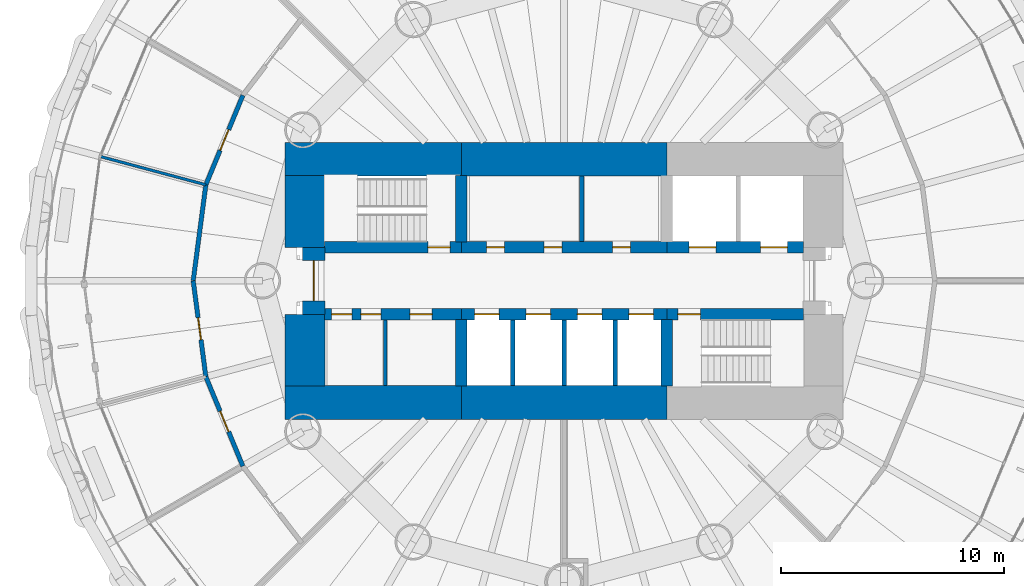
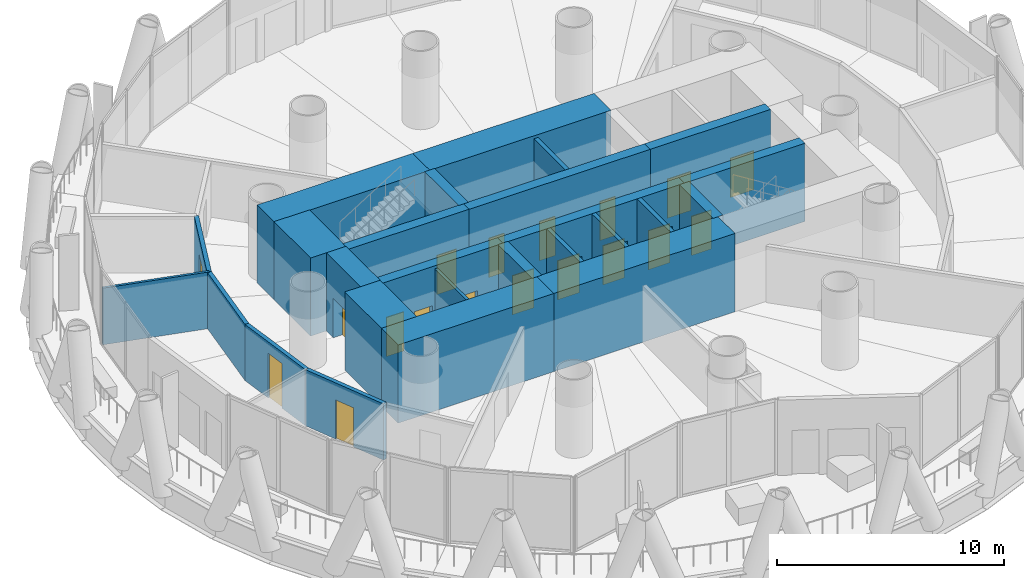
# One storey, part 10 of 15: 26 walls, 18 doors, 18 openings.
"""IFC4 building model written with IfcOpenShell, lengths in metres."""

import ifcopenshell
import ifcopenshell.guid

model = None  # the IFC model being written
_history = None  # IfcOwnerHistory: only IFC2X3 demands one
_inside = {}  # id of a spatial element -> (the spatial element, [elements in it])
_under = {}  # id of a project, library or spatial element -> (it, [spatial elements below it])
_declared = {}  # id of a project -> (the project, [libraries it declares])
_typed = {}  # id of a type object -> (the type object, [elements of that type])
_made_of = {}  # id of a material, layer set ... -> (it, [elements and type objects made of it])


def new_model(schema):
    """Start an empty IFC model of exactly this schema.

    Asked for "IFC4X3", IfcOpenShell would pick the latest addendum, in which some entities
    have other attributes; the version numbers below select the first issue.
    IFC2X3 requires an IfcOwnerHistory on every rooted entity: one is made here for all.
    """
    global model, _history
    if schema == "IFC4X3":
        model = ifcopenshell.file(schema_version=(4, 3, 0, 0))
    else:
        model = ifcopenshell.file(schema=schema)
    _inside.clear()
    _under.clear()
    _declared.clear()
    _typed.clear()
    _made_of.clear()
    _history = None
    if model.schema == "IFC2X3":
        org = make("IfcOrganization", Name="unknown")
        user = make(
            "IfcPersonAndOrganization",
            ThePerson=make("IfcPerson", FamilyName="unknown"),
            TheOrganization=org,
        )
        app = make(
            "IfcApplication",
            ApplicationDeveloper=org,
            Version="unknown",
            ApplicationFullName="unknown",
            ApplicationIdentifier="unknown",
        )
        _history = make(
            "IfcOwnerHistory",
            OwningUser=user,
            OwningApplication=app,
            ChangeAction="ADDED",
            CreationDate=0,
        )
    return model


def make(cls, **values):
    """One entity of the class cls with the attributes given. An attribute that is None is left unset."""
    return model.create_entity(
        cls, **{name: value for name, value in values.items() if value is not None}
    )


def rooted(cls, **values):
    """An entity with a GlobalId (a new one), such as an element, a storey or a relation."""
    return make(cls, GlobalId=ifcopenshell.guid.new(), OwnerHistory=_history, **values)


def si_unit(unit_type, name, prefix=None):
    """IfcSIUnit, for example si_unit("LENGTHUNIT", "METRE", prefix="MILLI")."""
    return make("IfcSIUnit", UnitType=unit_type, Prefix=prefix, Name=name)


def assignment(units):
    """IfcUnitAssignment: the units of a project."""
    return None if units is None else make("IfcUnitAssignment", Units=units)


def point(xyz):
    """IfcCartesianPoint."""
    return None if xyz is None else make("IfcCartesianPoint", Coordinates=xyz)


def direction(xyz):
    """IfcDirection."""
    return None if xyz is None else make("IfcDirection", DirectionRatios=xyz)


def frame(location, z_axis=None, x_axis=None):
    """IfcAxis2Placement3D, a coordinate frame: its origin and axes. An axis left out is left unset."""
    return make(
        "IfcAxis2Placement3D",
        Location=point(location),
        Axis=direction(z_axis),
        RefDirection=direction(x_axis),
    )


def frame_2d(location, x_axis=None):
    """IfcAxis2Placement2D, a coordinate frame in the plane: its origin and x axis."""
    return make(
        "IfcAxis2Placement2D", Location=point(location), RefDirection=direction(x_axis)
    )


def origin():
    """The frame at (0, 0, 0) with its axes left unset."""
    return frame((0.0, 0.0, 0.0))


def place(relative_to, where):
    """IfcLocalPlacement: puts the frame where relative to a parent placement (None: the world)."""
    return make(
        "IfcLocalPlacement", PlacementRelTo=relative_to, RelativePlacement=where
    )


def context(
    kind, dimensions, precision=None, world=None, true_north=None, identifier=None
):
    """IfcGeometricRepresentationContext, for example the 3D "Model" context."""
    return make(
        "IfcGeometricRepresentationContext",
        ContextIdentifier=identifier,
        ContextType=kind,
        CoordinateSpaceDimension=dimensions,
        Precision=precision,
        WorldCoordinateSystem=world,
        TrueNorth=true_north,
    )


def subcontext(parent, identifier, kind, view, scale=None):
    """IfcGeometricRepresentationSubContext, for example "Body" below "Model"."""
    return make(
        "IfcGeometricRepresentationSubContext",
        ContextIdentifier=identifier,
        ContextType=kind,
        ParentContext=parent,
        TargetScale=scale,
        TargetView=view,
    )


def project(units=None, contexts=None):
    """IfcProject with its units and contexts."""
    return rooted(
        "IfcProject",
        Name="project",
        RepresentationContexts=contexts,
        UnitsInContext=assignment(units),
    )


def spatial(cls, under=None, at=None, **own):
    """A site, building, storey or space (cls), placed at a placement, below another one or the project."""
    s = rooted(cls, ObjectPlacement=at, **own)
    if under is not None:
        _under.setdefault(under.id(), (under, []))[1].append(s)
    return s


def profile(cls, at=None, kind="AREA", **sizes):
    """A parametric profile (cls). Its sizes go by their IFC names, for example OverallWidth=200.0."""
    return make(cls, ProfileType=kind, Position=at, **sizes)


def rectangle(**sizes):
    """IfcRectangleProfileDef."""
    return profile("IfcRectangleProfileDef", **sizes)


def extrude(swept, where, along, depth):
    """IfcExtrudedAreaSolid: the profile swept, set in the frame where, extruded along a direction by depth."""
    return make(
        "IfcExtrudedAreaSolid",
        SweptArea=swept,
        Position=where,
        ExtrudedDirection=direction(along),
        Depth=depth,
    )


def shape(context_of_items, identifier, shape_type, items):
    """IfcShapeRepresentation: the items that make up one representation, for example the "Body"."""
    return make(
        "IfcShapeRepresentation",
        ContextOfItems=context_of_items,
        RepresentationIdentifier=identifier,
        RepresentationType=shape_type,
        Items=items,
    )


def material(Name=None, Category=None):
    """IfcMaterial."""
    return make("IfcMaterial", Name=Name, Category=Category)


def layer(
    of_material, thickness, ventilated=None, Name=None, Category=None, Priority=None
):
    """IfcMaterialLayer: one layer of a wall or slab, of a material (None: an air gap)."""
    return make(
        "IfcMaterialLayer",
        Material=of_material,
        LayerThickness=thickness,
        IsVentilated=ventilated,
        Name=Name,
        Category=Category,
        Priority=Priority,
    )


def layer_set(layers, Name=None):
    """IfcMaterialLayerSet."""
    return make("IfcMaterialLayerSet", MaterialLayers=layers, LayerSetName=Name)


def made_of(thing, what):
    """Note that an element or type object is made of a material, layer set ...; save() writes the relation."""
    if what is not None:
        _made_of.setdefault(what.id(), (what, []))[1].append(thing)
    return thing


def type_object(cls, material=None, **own):
    """A type object (cls), such as IfcWallType, which elements share."""
    return made_of(rooted(cls, **own), material)


def element(
    cls,
    number,
    at=None,
    inside=None,
    cuts=None,
    type_object=None,
    material=None,
    context=None,
    identifier="Body",
    shape_type=None,
    held_by="IfcProductDefinitionShape",
    body=None,
    shapes=None,
    **own,
):
    """One element of the class cls, such as IfcWall. Its Tag is "e" and its number.

    at: its placement. inside: the storey or other place that contains it. cuts: it is an
    opening in that element (IfcRelVoidsElement). A single representation is given by context,
    identifier, shape_type and body (its items); several are given by shapes. held_by: the class
    of the entity that holds the representations. save() writes the other relations.
    """
    e = rooted(cls, Tag="e%d" % number, ObjectPlacement=at, **own)
    if body is not None:
        shapes = [shape(context, identifier, shape_type, body)]
    if shapes is not None:
        e.Representation = make(held_by, Representations=shapes)
    if inside is not None:
        _inside.setdefault(inside.id(), (inside, []))[1].append(e)
    if cuts is not None:
        rooted(
            "IfcRelVoidsElement", RelatingBuildingElement=cuts, RelatedOpeningElement=e
        )
    if type_object is not None:
        _typed.setdefault(type_object.id(), (type_object, []))[1].append(e)
    return made_of(e, material)


def fill(opening, filler):
    """IfcRelFillsElement: the door or window that sits in an opening."""
    return rooted(
        "IfcRelFillsElement",
        RelatingOpeningElement=opening,
        RelatedBuildingElement=filler,
    )


def aggregate(whole, parts):
    """IfcRelAggregates: a whole, such as a stair, and the parts it consists of."""
    return rooted("IfcRelAggregates", RelatingObject=whole, RelatedObjects=parts)


def save(model, path):
    """Write the relations noted so far, then the file.

    IfcRelAggregates (storeys below a building ...), IfcRelContainedInSpatialStructure (elements
    in a storey), IfcRelDefinesByType, IfcRelAssociatesMaterial and IfcRelDeclares: one each for
    every whole, place, type object, material and project.
    """
    for whole, parts in _under.values():
        aggregate(whole, parts)
    for where, things in _inside.values():
        rooted(
            "IfcRelContainedInSpatialStructure",
            RelatedElements=things,
            RelatingStructure=where,
        )
    for kind, things in _typed.values():
        rooted("IfcRelDefinesByType", RelatedObjects=things, RelatingType=kind)
    for what, things in _made_of.values():
        rooted("IfcRelAssociatesMaterial", RelatedObjects=things, RelatingMaterial=what)
    for by, libraries in _declared.values():
        rooted("IfcRelDeclares", RelatingContext=by, RelatedDefinitions=libraries)
    model.write(path)


model = new_model("IFC4")

# Units and contexts
model_context = context("Model", 3, precision=1e-05, world=origin(), true_north=direction((0.0, 1.0)))
body_context = subcontext(model_context, "Body", "Model", "MODEL_VIEW")
ifc_project = project(units=[si_unit("LENGTHUNIT", "METRE"), si_unit("AREAUNIT", "SQUARE_METRE"), si_unit("VOLUMEUNIT", "CUBIC_METRE"), si_unit("PLANEANGLEUNIT", "RADIAN"), si_unit("MASSUNIT", "GRAM", prefix="KILO")], contexts=[model_context])

# Site, building, storey
site_placement = place(None, origin())
site = spatial("IfcSite", under=ifc_project, at=site_placement, CompositionType="ELEMENT")
building_placement = place(site_placement, origin())
building = spatial("IfcBuilding", under=site, at=building_placement, Name="Qaws Media Tower", CompositionType="ELEMENT")
storey_placement = place(building_placement, frame((0.0, 0.0, 198.199951171875)))
storey = spatial("IfcBuildingStorey", under=building, at=storey_placement, Name="L45", CompositionType="ELEMENT", Elevation=198.199951171875)

# Wall, opening, door
ifc_material_1 = material(Name="Concrete C60/75", Category="concrete")
ifc_layer_1 = layer(ifc_material_1, 0.5)
ifc_layer_set_1 = layer_set([ifc_layer_1], Name="Core inner wall 500")
wall_type_1 = type_object("IfcWallType", Name="Core inner wall 500", PredefinedType="SHEAR", material=ifc_layer_set_1)
wall_1_placement = place(storey_placement, frame((49.280029296875, 51.5, 0.0), z_axis=(0.0, 0.0, 1.0), x_axis=(1.0, 0.0, 0.0)))
wall_1 = element("IfcWall", 1, at=wall_1_placement, inside=storey, type_object=wall_type_1, Name="W347 SW12 core wall SPNW L45", PredefinedType="SHEAR", context=body_context, shape_type="SweptSolid", body=[
    extrude(rectangle(XDim=6.119873046875, YDim=0.5, at=frame_2d((3.06005859375, 0.0))), origin(), (0.0, 0.0, 1.0), 4.199951171875),
])
opening_1_placement = place(wall_1_placement, frame((4.6201171875, 0.0, 0.0)))
opening_1 = element("IfcOpeningElement", 2, at=opening_1_placement, cuts=wall_1, Name="Opening D1", PredefinedType="OPENING", context=body_context, shape_type="SweptSolid", body=[
    extrude(rectangle(XDim=1.0, YDim=2.10009765625, at=frame_2d((0.5, 1.050048828125))), frame((0.0, 0.260009765625, 0.0), z_axis=(0.0, -1.0, 0.0), x_axis=(1.0, 0.0, 0.0)), (0.0, 0.0, 1.0), 0.52001953125),
])
ifc_material_2 = material(Name="Steel, fire rated", Category="steel")
door_type_1 = type_object("IfcDoorType", Name="Stair door 1000 FD120", OperationType="SINGLE_SWING_LEFT", PredefinedType="DOOR", material=ifc_material_2)
door_1_placement = place(opening_1_placement, origin())
door_1 = element("IfcDoor", 3, at=door_1_placement, inside=storey, type_object=door_type_1, Name="D1 stair S1 door L45 in wall W347", OperationType="SINGLE_SWING_LEFT", OverallHeight=2.10009765625, OverallWidth=1.0, PredefinedType="DOOR", context=body_context, shape_type="SweptSolid", body=[
    extrude(rectangle(XDim=1.0, YDim=2.10009765625, at=frame_2d((0.5, 1.050048828125))), frame((0.0, 0.02490234375, 0.0), z_axis=(0.0, -1.0, 0.0), x_axis=(1.0, 0.0, 0.0)), (0.0, 0.0, 1.0), 0.050048828125),
])
fill(opening_1, door_1)

# Wall, openings, doors
wall_2_placement = place(storey_placement, frame((55.39990234375, 51.5, 0.0), z_axis=(0.0, 0.0, 1.0), x_axis=(1.0, 0.0, 0.0)))
wall_2 = element("IfcWall", 4, at=wall_2_placement, inside=storey, type_object=wall_type_1, Name="W332 SW12 core wall SPN L45", PredefinedType="SHEAR", context=body_context, shape_type="SweptSolid", body=[
    extrude(rectangle(XDim=9.2001953125, YDim=0.5, at=frame_2d((4.60009765625, 0.0))), origin(), (0.0, 0.0, 1.0), 4.199951171875),
])
opening_2_placement = place(wall_2_placement, frame((1.13525390625, 0.0, 0.0)))
opening_2 = element("IfcOpeningElement", 5, at=opening_2_placement, cuts=wall_2, Name="Opening D23", PredefinedType="OPENING", context=body_context, shape_type="SweptSolid", body=[
    extrude(rectangle(XDim=0.800048828125, YDim=2.10009765625, at=frame_2d((0.39990234375, 1.050048828125))), frame((0.0, 0.260009765625, 0.0), z_axis=(0.0, -1.0, 0.0), x_axis=(1.0, 0.0, 0.0)), (0.0, 0.0, 1.0), 0.52001953125),
])
opening_3_placement = place(wall_2_placement, frame((3.705810546875, 0.0, 0.0)))
opening_3 = element("IfcOpeningElement", 6, at=opening_3_placement, cuts=wall_2, Name="Opening D23", PredefinedType="OPENING", context=body_context, shape_type="SweptSolid", body=[
    extrude(rectangle(XDim=0.800048828125, YDim=2.10009765625, at=frame_2d((0.39990234375, 1.050048828125))), frame((0.0, 0.260009765625, 0.0), z_axis=(0.0, -1.0, 0.0), x_axis=(1.0, 0.0, 0.0)), (0.0, 0.0, 1.0), 0.52001953125),
])
opening_4_placement = place(wall_2_placement, frame((6.7705078125, 0.0, 0.0)))
opening_4 = element("IfcOpeningElement", 7, at=opening_4_placement, cuts=wall_2, Name="Opening D23", PredefinedType="OPENING", context=body_context, shape_type="SweptSolid", body=[
    extrude(rectangle(XDim=0.800048828125, YDim=2.10009765625, at=frame_2d((0.39990234375, 1.050048828125))), frame((0.0, 0.260009765625, 0.0), z_axis=(0.0, -1.0, 0.0), x_axis=(1.0, 0.0, 0.0)), (0.0, 0.0, 1.0), 0.52001953125),
])
ifc_material_3 = material(Name="Steel, fire rated", Category="steel")
door_type_2 = type_object("IfcDoorType", Name="Core room door 800x2100", OperationType="SINGLE_SWING_LEFT", PredefinedType="DOOR", material=ifc_material_3)
door_2_placement = place(opening_2_placement, origin())
door_2 = element("IfcDoor", 8, at=door_2_placement, inside=storey, type_object=door_type_2, Name="D23 Gents toilets door L45 1 in wall W332", OperationType="SINGLE_SWING_LEFT", OverallHeight=2.10009765625, OverallWidth=0.800048828125, PredefinedType="DOOR", context=body_context, shape_type="SweptSolid", body=[
    extrude(rectangle(XDim=0.800048828125, YDim=2.10009765625, at=frame_2d((0.39990234375, 1.050048828125))), frame((0.0, 0.02490234375, 0.0), z_axis=(0.0, -1.0, 0.0), x_axis=(1.0, 0.0, 0.0)), (0.0, 0.0, 1.0), 0.050048828125),
])
fill(opening_2, door_2)
door_3_placement = place(opening_3_placement, origin())
door_3 = element("IfcDoor", 9, at=door_3_placement, inside=storey, type_object=door_type_2, Name="D23 Gents toilets door L45 2 in wall W332", OperationType="SINGLE_SWING_LEFT", OverallHeight=2.10009765625, OverallWidth=0.800048828125, PredefinedType="DOOR", context=body_context, shape_type="SweptSolid", body=[
    extrude(rectangle(XDim=0.800048828125, YDim=2.10009765625, at=frame_2d((0.39990234375, 1.050048828125))), frame((0.0, 0.02490234375, 0.0), z_axis=(0.0, -1.0, 0.0), x_axis=(1.0, 0.0, 0.0)), (0.0, 0.0, 1.0), 0.050048828125),
])
fill(opening_3, door_3)
door_4_placement = place(opening_4_placement, origin())
door_4 = element("IfcDoor", 10, at=door_4_placement, inside=storey, type_object=door_type_2, Name="D23 Ladies toilets door L45 in wall W332", OperationType="SINGLE_SWING_LEFT", OverallHeight=2.10009765625, OverallWidth=0.800048828125, PredefinedType="DOOR", context=body_context, shape_type="SweptSolid", body=[
    extrude(rectangle(XDim=0.800048828125, YDim=2.10009765625, at=frame_2d((0.39990234375, 1.050048828125))), frame((0.0, 0.02490234375, 0.0), z_axis=(0.0, -1.0, 0.0), x_axis=(1.0, 0.0, 0.0)), (0.0, 0.0, 1.0), 0.050048828125),
])
fill(opening_4, door_4)

wall_3_placement = place(storey_placement, frame((64.60009765625, 51.5, 0.0), z_axis=(0.0, 0.0, 1.0), x_axis=(1.0, 0.0, 0.0)))
wall_3 = element("IfcWall", 11, at=wall_3_placement, inside=storey, type_object=wall_type_1, Name="W352 SW12 core wall SPNE L45", PredefinedType="SHEAR", context=body_context, shape_type="SweptSolid", body=[
    extrude(rectangle(XDim=6.119873046875, YDim=0.5, at=frame_2d((3.06005859375, 0.0))), origin(), (0.0, 0.0, 1.0), 4.199951171875),
])
opening_5_placement = place(wall_3_placement, frame((1.0, 0.0, 0.0)))
opening_5 = element("IfcOpeningElement", 12, at=opening_5_placement, cuts=wall_3, Name="Opening LD2", PredefinedType="OPENING", context=body_context, shape_type="SweptSolid", body=[
    extrude(rectangle(XDim=1.199951171875, YDim=2.10009765625, at=frame_2d((0.60009765625, 1.050048828125))), frame((0.0, 0.260009765625, 0.0), z_axis=(0.0, -1.0, 0.0), x_axis=(1.0, 0.0, 0.0)), (0.0, 0.0, 1.0), 0.52001953125),
])
opening_6_placement = place(wall_3_placement, frame((4.199951171875, 0.0, 0.0)))
opening_6 = element("IfcOpeningElement", 13, at=opening_6_placement, cuts=wall_3, Name="Opening LD2", PredefinedType="OPENING", context=body_context, shape_type="SweptSolid", body=[
    extrude(rectangle(XDim=1.199951171875, YDim=2.10009765625, at=frame_2d((0.60009765625, 1.050048828125))), frame((0.0, 0.260009765625, 0.0), z_axis=(0.0, -1.0, 0.0), x_axis=(1.0, 0.0, 0.0)), (0.0, 0.0, 1.0), 0.52001953125),
])
ifc_material_4 = material(Name="Steel, fire rated", Category="steel")
door_type_3 = type_object("IfcDoorType", Name="Lift landing door 1200", OperationType="SLIDING_TO_LEFT", PredefinedType="DOOR", material=ifc_material_4)
door_5_placement = place(opening_5_placement, origin())
door_5 = element("IfcDoor", 14, at=door_5_placement, inside=storey, type_object=door_type_3, Name="FL1 landing door L45 in wall W352", OperationType="SLIDING_TO_LEFT", OverallHeight=2.10009765625, OverallWidth=1.199951171875, PredefinedType="DOOR", context=body_context, shape_type="SweptSolid", body=[
    extrude(rectangle(XDim=1.199951171875, YDim=2.10009765625, at=frame_2d((0.60009765625, 1.050048828125))), frame((0.0, 0.02490234375, 0.0), z_axis=(0.0, -1.0, 0.0), x_axis=(1.0, 0.0, 0.0)), (0.0, 0.0, 1.0), 0.050048828125),
])
fill(opening_5, door_5)
door_6_placement = place(opening_6_placement, origin())
door_6 = element("IfcDoor", 15, at=door_6_placement, inside=storey, type_object=door_type_3, Name="FL2 landing door L45 in wall W352", OperationType="SLIDING_TO_LEFT", OverallHeight=2.10009765625, OverallWidth=1.199951171875, PredefinedType="DOOR", context=body_context, shape_type="SweptSolid", body=[
    extrude(rectangle(XDim=1.199951171875, YDim=2.10009765625, at=frame_2d((0.60009765625, 1.050048828125))), frame((0.0, 0.02490234375, 0.0), z_axis=(0.0, -1.0, 0.0), x_axis=(1.0, 0.0, 0.0)), (0.0, 0.0, 1.0), 0.050048828125),
])
fill(opening_6, door_6)

wall_4_placement = place(storey_placement, frame((49.280029296875, 48.5, 0.0), z_axis=(0.0, 0.0, 1.0), x_axis=(1.0, 0.0, 0.0)))
wall_4 = element("IfcWall", 16, at=wall_4_placement, inside=storey, type_object=wall_type_1, Name="W346 SW12 core wall SPSW L45", PredefinedType="SHEAR", context=body_context, shape_type="SweptSolid", body=[
    extrude(rectangle(XDim=6.119873046875, YDim=0.5, at=frame_2d((3.06005859375, 0.0))), origin(), (0.0, 0.0, 1.0), 4.199951171875),
])
opening_7_placement = place(wall_4_placement, frame((0.320068359375, 0.0, 0.0)))
opening_7 = element("IfcOpeningElement", 17, at=opening_7_placement, cuts=wall_4, Name="Opening D3", PredefinedType="OPENING", context=body_context, shape_type="SweptSolid", body=[
    extrude(rectangle(XDim=0.89990234375, YDim=2.10009765625, at=frame_2d((0.449951171875, 1.050048828125))), frame((0.0, 0.260009765625, 0.0), z_axis=(0.0, -1.0, 0.0), x_axis=(1.0, 0.0, 0.0)), (0.0, 0.0, 1.0), 0.52001953125),
])
opening_8_placement = place(wall_4_placement, frame((1.6201171875, 0.0, 0.0)))
opening_8 = element("IfcOpeningElement", 18, at=opening_8_placement, cuts=wall_4, Name="Opening D3", PredefinedType="OPENING", context=body_context, shape_type="SweptSolid", body=[
    extrude(rectangle(XDim=0.89990234375, YDim=2.10009765625, at=frame_2d((0.449951171875, 1.050048828125))), frame((0.0, 0.260009765625, 0.0), z_axis=(0.0, -1.0, 0.0), x_axis=(1.0, 0.0, 0.0)), (0.0, 0.0, 1.0), 0.52001953125),
])
opening_9_placement = place(wall_4_placement, frame((3.820068359375, 0.0, 0.0)))
opening_9 = element("IfcOpeningElement", 19, at=opening_9_placement, cuts=wall_4, Name="Opening D4", PredefinedType="OPENING", context=body_context, shape_type="SweptSolid", body=[
    extrude(rectangle(XDim=1.0, YDim=2.10009765625, at=frame_2d((0.5, 1.050048828125))), frame((0.0, 0.260009765625, 0.0), z_axis=(0.0, -1.0, 0.0), x_axis=(1.0, 0.0, 0.0)), (0.0, 0.0, 1.0), 0.52001953125),
])
ifc_material_5 = material(Name="Timber veneered", Category="wood")
door_type_4 = type_object("IfcDoorType", Name="Accessible WC door 1000", OperationType="SLIDING_TO_LEFT", PredefinedType="DOOR", material=ifc_material_5)
door_7_placement = place(opening_9_placement, origin())
door_7 = element("IfcDoor", 20, at=door_7_placement, inside=storey, type_object=door_type_4, Name="D4 toilet door 3 L45 in wall W346", OperationType="SLIDING_TO_LEFT", OverallHeight=2.10009765625, OverallWidth=1.0, PredefinedType="DOOR", context=body_context, shape_type="SweptSolid", body=[
    extrude(rectangle(XDim=1.0, YDim=2.10009765625, at=frame_2d((0.5, 1.050048828125))), frame((0.0, 0.02490234375, 0.0), z_axis=(0.0, -1.0, 0.0), x_axis=(1.0, 0.0, 0.0)), (0.0, 0.0, 1.0), 0.050048828125),
])
fill(opening_9, door_7)
ifc_material_6 = material(Name="Timber veneered", Category="wood")
door_type_5 = type_object("IfcDoorType", Name="Toilet door 900", OperationType="SINGLE_SWING_RIGHT", PredefinedType="DOOR", material=ifc_material_6)
door_8_placement = place(opening_7_placement, origin())
door_8 = element("IfcDoor", 21, at=door_8_placement, inside=storey, type_object=door_type_5, Name="D3 toilet door 1 L45 in wall W346", OperationType="SINGLE_SWING_RIGHT", OverallHeight=2.10009765625, OverallWidth=0.89990234375, PredefinedType="DOOR", context=body_context, shape_type="SweptSolid", body=[
    extrude(rectangle(XDim=0.89990234375, YDim=2.10009765625, at=frame_2d((0.449951171875, 1.050048828125))), frame((0.0, 0.02490234375, 0.0), z_axis=(0.0, -1.0, 0.0), x_axis=(1.0, 0.0, 0.0)), (0.0, 0.0, 1.0), 0.050048828125),
])
fill(opening_7, door_8)
door_9_placement = place(opening_8_placement, origin())
door_9 = element("IfcDoor", 22, at=door_9_placement, inside=storey, type_object=door_type_5, Name="D3 toilet door 2 L45 in wall W346", OperationType="SINGLE_SWING_RIGHT", OverallHeight=2.10009765625, OverallWidth=0.89990234375, PredefinedType="DOOR", context=body_context, shape_type="SweptSolid", body=[
    extrude(rectangle(XDim=0.89990234375, YDim=2.10009765625, at=frame_2d((0.449951171875, 1.050048828125))), frame((0.0, 0.02490234375, 0.0), z_axis=(0.0, -1.0, 0.0), x_axis=(1.0, 0.0, 0.0)), (0.0, 0.0, 1.0), 0.050048828125),
])
fill(opening_8, door_9)

wall_5_placement = place(storey_placement, frame((55.39990234375, 48.5, 0.0), z_axis=(0.0, 0.0, 1.0), x_axis=(1.0, 0.0, 0.0)))
wall_5 = element("IfcWall", 23, at=wall_5_placement, inside=storey, type_object=wall_type_1, Name="W331 SW12 core wall SPS L45", PredefinedType="SHEAR", context=body_context, shape_type="SweptSolid", body=[
    extrude(rectangle(XDim=9.2001953125, YDim=0.5, at=frame_2d((4.60009765625, 0.0))), origin(), (0.0, 0.0, 1.0), 4.199951171875),
])
opening_10_placement = place(wall_5_placement, frame((0.60009765625, 0.0, 0.0)))
opening_10 = element("IfcOpeningElement", 24, at=opening_10_placement, cuts=wall_5, Name="Opening LD", PredefinedType="OPENING", context=body_context, shape_type="SweptSolid", body=[
    extrude(rectangle(XDim=1.10009765625, YDim=2.10009765625, at=frame_2d((0.550048828125, 1.050048828125))), frame((0.0, 0.260009765625, 0.0), z_axis=(0.0, -1.0, 0.0), x_axis=(1.0, 0.0, 0.0)), (0.0, 0.0, 1.0), 0.52001953125),
])
opening_11_placement = place(wall_5_placement, frame((2.89990234375, 0.0, 0.0)))
opening_11 = element("IfcOpeningElement", 25, at=opening_11_placement, cuts=wall_5, Name="Opening LD", PredefinedType="OPENING", context=body_context, shape_type="SweptSolid", body=[
    extrude(rectangle(XDim=1.10009765625, YDim=2.10009765625, at=frame_2d((0.550048828125, 1.050048828125))), frame((0.0, 0.260009765625, 0.0), z_axis=(0.0, -1.0, 0.0), x_axis=(1.0, 0.0, 0.0)), (0.0, 0.0, 1.0), 0.52001953125),
])
opening_12_placement = place(wall_5_placement, frame((5.199951171875, 0.0, 0.0)))
opening_12 = element("IfcOpeningElement", 26, at=opening_12_placement, cuts=wall_5, Name="Opening LD", PredefinedType="OPENING", context=body_context, shape_type="SweptSolid", body=[
    extrude(rectangle(XDim=1.10009765625, YDim=2.10009765625, at=frame_2d((0.550048828125, 1.050048828125))), frame((0.0, 0.260009765625, 0.0), z_axis=(0.0, -1.0, 0.0), x_axis=(1.0, 0.0, 0.0)), (0.0, 0.0, 1.0), 0.52001953125),
])
opening_13_placement = place(wall_5_placement, frame((7.5, 0.0, 0.0)))
opening_13 = element("IfcOpeningElement", 27, at=opening_13_placement, cuts=wall_5, Name="Opening LD", PredefinedType="OPENING", context=body_context, shape_type="SweptSolid", body=[
    extrude(rectangle(XDim=1.10009765625, YDim=2.10009765625, at=frame_2d((0.550048828125, 1.050048828125))), frame((0.0, 0.260009765625, 0.0), z_axis=(0.0, -1.0, 0.0), x_axis=(1.0, 0.0, 0.0)), (0.0, 0.0, 1.0), 0.52001953125),
])
ifc_material_7 = material(Name="Steel, fire rated", Category="steel")
door_type_6 = type_object("IfcDoorType", Name="Lift landing door 1100", OperationType="SLIDING_TO_LEFT", PredefinedType="DOOR", material=ifc_material_7)
door_10_placement = place(opening_10_placement, origin())
door_10 = element("IfcDoor", 28, at=door_10_placement, inside=storey, type_object=door_type_6, Name="P5 landing door L45 in wall W331", OperationType="SLIDING_TO_LEFT", OverallHeight=2.10009765625, OverallWidth=1.10009765625, PredefinedType="DOOR", context=body_context, shape_type="SweptSolid", body=[
    extrude(rectangle(XDim=1.10009765625, YDim=2.10009765625, at=frame_2d((0.550048828125, 1.050048828125))), frame((0.0, 0.02490234375, 0.0), z_axis=(0.0, -1.0, 0.0), x_axis=(1.0, 0.0, 0.0)), (0.0, 0.0, 1.0), 0.050048828125),
])
fill(opening_10, door_10)
door_11_placement = place(opening_11_placement, origin())
door_11 = element("IfcDoor", 29, at=door_11_placement, inside=storey, type_object=door_type_6, Name="P6 landing door L45 in wall W331", OperationType="SLIDING_TO_LEFT", OverallHeight=2.10009765625, OverallWidth=1.10009765625, PredefinedType="DOOR", context=body_context, shape_type="SweptSolid", body=[
    extrude(rectangle(XDim=1.10009765625, YDim=2.10009765625, at=frame_2d((0.550048828125, 1.050048828125))), frame((0.0, 0.02490234375, 0.0), z_axis=(0.0, -1.0, 0.0), x_axis=(1.0, 0.0, 0.0)), (0.0, 0.0, 1.0), 0.050048828125),
])
fill(opening_11, door_11)
door_12_placement = place(opening_12_placement, origin())
door_12 = element("IfcDoor", 30, at=door_12_placement, inside=storey, type_object=door_type_6, Name="P7 landing door L45 in wall W331", OperationType="SLIDING_TO_LEFT", OverallHeight=2.10009765625, OverallWidth=1.10009765625, PredefinedType="DOOR", context=body_context, shape_type="SweptSolid", body=[
    extrude(rectangle(XDim=1.10009765625, YDim=2.10009765625, at=frame_2d((0.550048828125, 1.050048828125))), frame((0.0, 0.02490234375, 0.0), z_axis=(0.0, -1.0, 0.0), x_axis=(1.0, 0.0, 0.0)), (0.0, 0.0, 1.0), 0.050048828125),
])
fill(opening_12, door_12)
door_13_placement = place(opening_13_placement, origin())
door_13 = element("IfcDoor", 31, at=door_13_placement, inside=storey, type_object=door_type_6, Name="P8 landing door L45 in wall W331", OperationType="SLIDING_TO_LEFT", OverallHeight=2.10009765625, OverallWidth=1.10009765625, PredefinedType="DOOR", context=body_context, shape_type="SweptSolid", body=[
    extrude(rectangle(XDim=1.10009765625, YDim=2.10009765625, at=frame_2d((0.550048828125, 1.050048828125))), frame((0.0, 0.02490234375, 0.0), z_axis=(0.0, -1.0, 0.0), x_axis=(1.0, 0.0, 0.0)), (0.0, 0.0, 1.0), 0.050048828125),
])
fill(opening_13, door_13)

# Wall, opening, door
wall_6_placement = place(storey_placement, frame((64.60009765625, 48.5, 0.0), z_axis=(0.0, 0.0, 1.0), x_axis=(1.0, 0.0, 0.0)))
wall_6 = element("IfcWall", 32, at=wall_6_placement, inside=storey, type_object=wall_type_1, Name="W351 SW12 core wall SPSE L45", PredefinedType="SHEAR", context=body_context, shape_type="SweptSolid", body=[
    extrude(rectangle(XDim=6.119873046875, YDim=0.5, at=frame_2d((3.06005859375, 0.0))), origin(), (0.0, 0.0, 1.0), 4.199951171875),
])
opening_14_placement = place(wall_6_placement, frame((0.5, 0.0, 0.0)))
opening_14 = element("IfcOpeningElement", 33, at=opening_14_placement, cuts=wall_6, Name="Opening D1", PredefinedType="OPENING", context=body_context, shape_type="SweptSolid", body=[
    extrude(rectangle(XDim=1.0, YDim=2.10009765625, at=frame_2d((0.5, 1.050048828125))), frame((0.0, 0.260009765625, 0.0), z_axis=(0.0, -1.0, 0.0), x_axis=(1.0, 0.0, 0.0)), (0.0, 0.0, 1.0), 0.52001953125),
])
door_14_placement = place(opening_14_placement, origin())
door_14 = element("IfcDoor", 34, at=door_14_placement, inside=storey, type_object=door_type_1, Name="D1 stair S2 door L45 in wall W351", OperationType="SINGLE_SWING_LEFT", OverallHeight=2.10009765625, OverallWidth=1.0, PredefinedType="DOOR", context=body_context, shape_type="SweptSolid", body=[
    extrude(rectangle(XDim=1.0, YDim=2.10009765625, at=frame_2d((0.5, 1.050048828125))), frame((0.0, 0.02490234375, 0.0), z_axis=(0.0, -1.0, 0.0), x_axis=(1.0, 0.0, 0.0)), (0.0, 0.0, 1.0), 0.050048828125),
])
fill(opening_14, door_14)

# Walls
for number, where, z_axis, x_axis, name in (
    (35, (55.39990234375, 51.72998046875, 0.0), (0.0, 0.0, 1.0), (0.0, 1.0, 0.0), "W349 SW12 core wall XNW L45"),
    (36, (55.39990234375, 48.27001953125, 0.0), (0.0, 0.0, 1.0), (0.0, -1.0, 0.0), "W348 SW12 core wall XSW L45"),
    (37, (64.60009765625, 48.27001953125, 0.0), (0.0, 0.0, 1.0), (0.0, -1.0, 0.0), "W350 SW12 core wall XSE L45"),
):
    element("IfcWall", number, at=place(storey_placement, frame(where, z_axis=z_axis, x_axis=x_axis)), inside=storey, type_object=wall_type_1, Name=name, PredefinedType="SHEAR", context=body_context, shape_type="SweptSolid", body=[
        extrude(rectangle(XDim=2.989990234375, YDim=0.5, at=frame_2d((1.4951171875, 0.0))), origin(), (0.0, 0.0, 1.0), 4.199951171875),
    ])

# Wall, opening, door
ifc_material_8 = material(Name="Concrete C60/75", Category="concrete")
ifc_layer_2 = layer(ifc_material_8, 1.0)
ifc_layer_set_2 = layer_set([ifc_layer_2], Name="Core wall 1000")
wall_type_2 = type_object("IfcWallType", Name="Core wall 1000", PredefinedType="SHEAR", material=ifc_layer_set_2)
wall_7_placement = place(storey_placement, frame((48.800048828125, 48.5, 0.0), z_axis=(0.0, 0.0, 1.0), x_axis=(0.0, 1.0, 0.0)))
wall_7 = element("IfcWall", 38, at=wall_7_placement, inside=storey, type_object=wall_type_2, Name="W368 SW8 core wall W L45", PredefinedType="SHEAR", context=body_context, shape_type="SweptSolid", body=[
    extrude(rectangle(XDim=3.0, YDim=1.0, at=frame_2d((1.5, 0.0))), origin(), (0.0, 0.0, 1.0), 4.199951171875),
])
opening_15_placement = place(wall_7_placement, frame((0.60009765625, 0.0, 0.0)))
opening_15 = element("IfcOpeningElement", 39, at=opening_15_placement, cuts=wall_7, Name="Opening D2", PredefinedType="OPENING", context=body_context, shape_type="SweptSolid", body=[
    extrude(rectangle(XDim=1.800048828125, YDim=2.10009765625, at=frame_2d((0.89990234375, 1.050048828125))), frame((0.0, 0.510009765625, 0.0), z_axis=(0.0, -1.0, 0.0), x_axis=(1.0, 0.0, 0.0)), (0.0, 0.0, 1.0), 1.02001953125),
])
ifc_material_9 = material(Name="Steel and glass, fire rated", Category="steel")
door_type_7 = type_object("IfcDoorType", Name="Lobby door pair 1800 FD60", OperationType="DOUBLE_DOOR_DOUBLE_SWING", PredefinedType="DOOR", material=ifc_material_9)
door_15_placement = place(opening_15_placement, origin())
door_15 = element("IfcDoor", 40, at=door_15_placement, inside=storey, type_object=door_type_7, Name="D2 core lobby door W L45 in wall W368", OperationType="DOUBLE_DOOR_DOUBLE_SWING", OverallHeight=2.10009765625, OverallWidth=1.800048828125, PredefinedType="DOOR", context=body_context, shape_type="SweptSolid", body=[
    extrude(rectangle(XDim=1.800048828125, YDim=2.10009765625, at=frame_2d((0.89990234375, 1.050048828125))), frame((0.0, 0.02490234375, 0.0), z_axis=(0.0, -1.0, 0.0), x_axis=(1.0, 0.0, 0.0)), (0.0, 0.0, 1.0), 0.050048828125),
])
fill(opening_15, door_15)

# Walls
ifc_material_10 = material(Name="Concrete C60/75", Category="concrete")
ifc_layer_3 = layer(ifc_material_10, 1.5)
ifc_layer_set_3 = layer_set([ifc_layer_3], Name="Core wall 1500")
wall_type_3 = type_object("IfcWallType", Name="Core wall 1500", PredefinedType="SHEAR", material=ifc_layer_set_3)
wall_8_placement = place(storey_placement, frame((47.5, 55.449951171875, 0.0), z_axis=(0.0, 0.0, 1.0), x_axis=(1.0, 0.0, 0.0)))
element("IfcWall", 41, at=wall_8_placement, inside=storey, type_object=wall_type_3, Name="W371 SW13 core wall NW L45", PredefinedType="SHEAR", context=body_context, shape_type="SweptSolid", body=[
    extrude(rectangle(XDim=7.89990234375, YDim=1.5, at=frame_2d((3.949951171875, 0.0))), origin(), (0.0, 0.0, 1.0), 4.199951171875),
])
wall_9_placement = place(storey_placement, frame((55.39990234375, 55.449951171875, 0.0), z_axis=(0.0, 0.0, 1.0), x_axis=(1.0, 0.0, 0.0)))
element("IfcWall", 42, at=wall_9_placement, inside=storey, type_object=wall_type_3, Name="W373 SW13 core wall N L45", PredefinedType="SHEAR", context=body_context, shape_type="SweptSolid", body=[
    extrude(rectangle(XDim=9.2001953125, YDim=1.5, at=frame_2d((4.60009765625, 0.0))), origin(), (0.0, 0.0, 1.0), 4.199951171875),
])
wall_10_placement = place(storey_placement, frame((47.5, 44.550048828125, 0.0), z_axis=(0.0, 0.0, 1.0), x_axis=(1.0, 0.0, 0.0)))
element("IfcWall", 43, at=wall_10_placement, inside=storey, type_object=wall_type_3, Name="W370 SW13 core wall SW L45", PredefinedType="SHEAR", context=body_context, shape_type="SweptSolid", body=[
    extrude(rectangle(XDim=7.89990234375, YDim=1.5, at=frame_2d((3.949951171875, 0.0))), origin(), (0.0, 0.0, 1.0), 4.199951171875),
])
wall_11_placement = place(storey_placement, frame((55.39990234375, 44.550048828125, 0.0), z_axis=(0.0, 0.0, 1.0), x_axis=(1.0, 0.0, 0.0)))
element("IfcWall", 44, at=wall_11_placement, inside=storey, type_object=wall_type_3, Name="W372 SW13 core wall S L45", PredefinedType="SHEAR", context=body_context, shape_type="SweptSolid", body=[
    extrude(rectangle(XDim=9.2001953125, YDim=1.5, at=frame_2d((4.60009765625, 0.0))), origin(), (0.0, 0.0, 1.0), 4.199951171875),
])
ifc_material_11 = material(Name="Concrete C60/75", Category="concrete")
ifc_layer_4 = layer(ifc_material_11, 1.800048828125)
ifc_layer_set_4 = layer_set([ifc_layer_4], Name="Core wall 1800")
wall_type_4 = type_object("IfcWallType", Name="Core wall 1800", PredefinedType="SHEAR", material=ifc_layer_set_4)
for number, where, z_axis, x_axis, name in (
    (45, (48.39990234375, 45.280029296875, 0.0), (0.0, 0.0, 1.0), (0.0, 1.0, 0.0), "W430 SW11 core wall WS L45"),
    (46, (48.39990234375, 51.5, 0.0), (0.0, 0.0, 1.0), (0.0, 1.0, 0.0), "W431 SW11 core wall WN L45"),
):
    element("IfcWall", number, at=place(storey_placement, frame(where, z_axis=z_axis, x_axis=x_axis)), inside=storey, type_object=wall_type_4, Name=name, PredefinedType="SHEAR", context=body_context, shape_type="SweptSolid", body=[
        extrude(rectangle(XDim=3.219970703125, YDim=1.800048828125, at=frame_2d((1.60986328125, 0.0))), origin(), (0.0, 0.0, 1.0), 4.199951171875),
    ])
ifc_material_12 = material(Name="Two layers gypsum board each side on 75 studs, insulated", Category="gypsum")
ifc_layer_5 = layer(ifc_material_12, 0.125)
ifc_layer_set_5 = layer_set([ifc_layer_5], Name="Meeting room partition 125 Rw 48")
wall_type_5 = type_object("IfcWallType", Name="Meeting room partition 125 Rw 48", PredefinedType="PARTITIONING", material=ifc_layer_set_5)
wall_12_placement = place(storey_placement, frame((43.965576171875, 54.29638671875, 0.0), z_axis=(0.0, 0.0, 1.0), x_axis=(-0.965927422152, 0.258813089189, 0.0)))
element("IfcWall", 47, at=wall_12_placement, inside=storey, type_object=wall_type_5, Name="W594 IW5 partition L45", PredefinedType="PARTITIONING", context=body_context, shape_type="SweptSolid", body=[
    extrude(rectangle(XDim=4.85986328125, YDim=0.125, at=frame_2d((2.429931640625, 0.0))), origin(), (0.0, 0.0, 1.0), 3.0400390625),
])

# Wall, opening, door
ifc_material_13 = material(Name="Gypsum board on galvanised metal studs, acoustic double stud, deflection head", Category="gypsum")
ifc_layer_6 = layer(ifc_material_13, 0.199951171875)
ifc_layer_set_6 = layer_set([ifc_layer_6], Name="Room partition 200")
wall_type_6 = type_object("IfcWallType", Name="Room partition 200", PredefinedType="PARTITIONING", material=ifc_layer_set_6)
wall_13_placement = place(storey_placement, frame((45.6240234375, 41.699951171875, 0.0), z_axis=(0.0, 0.0, 1.0), x_axis=(-0.382698425325, 0.923873322082, 0.0)))
wall_13 = element("IfcWall", 48, at=wall_13_placement, inside=storey, type_object=wall_type_6, Name="W1502 IW3 partition L45", PredefinedType="PARTITIONING", context=body_context, shape_type="SweptSolid", body=[
    extrude(rectangle(XDim=4.33349609375, YDim=0.199951171875, at=frame_2d((2.166748046875, 0.0))), origin(), (0.0, 0.0, 1.0), 3.011962890625),
])
opening_16_placement = place(wall_13_placement, frame((1.666748046875, 0.0, 0.0)))
opening_16 = element("IfcOpeningElement", 49, at=opening_16_placement, cuts=wall_13, Name="Opening D5", PredefinedType="OPENING", context=body_context, shape_type="SweptSolid", body=[
    extrude(rectangle(XDim=1.0, YDim=2.10009765625, at=frame_2d((0.5, 1.050048828125))), frame((0.0, 0.10986328125, 0.0), z_axis=(0.0, -1.0, 0.0), x_axis=(1.0, 0.0, 0.0)), (0.0, 0.0, 1.0), 0.219970703125),
])
ifc_material_14 = material(Name="Timber veneered, acoustic seal", Category="wood")
door_type_8 = type_object("IfcDoorType", Name="Room door 1000", OperationType="SINGLE_SWING_LEFT", PredefinedType="DOOR", material=ifc_material_14)
door_16_placement = place(opening_16_placement, origin())
door_16 = element("IfcDoor", 50, at=door_16_placement, inside=storey, type_object=door_type_8, Name="D5 Ablutions (men) door L45 in wall W1502", OperationType="SINGLE_SWING_LEFT", OverallHeight=2.10009765625, OverallWidth=1.0, PredefinedType="DOOR", context=body_context, shape_type="SweptSolid", body=[
    extrude(rectangle(XDim=1.0, YDim=2.10009765625, at=frame_2d((0.5, 1.050048828125))), frame((0.0, 0.02490234375, 0.0), z_axis=(0.0, -1.0, 0.0), x_axis=(1.0, 0.0, 0.0)), (0.0, 0.0, 1.0), 0.050048828125),
])
fill(opening_16, door_16)

wall_14_placement = place(storey_placement, frame((43.965576171875, 45.70361328125, 0.0), z_axis=(0.0, 0.0, 1.0), x_axis=(-0.130536124221, 0.99144355375, 0.0)))
wall_14 = element("IfcWall", 51, at=wall_14_placement, inside=storey, type_object=wall_type_6, Name="W1499 IW3 partition L45", PredefinedType="PARTITIONING", context=body_context, shape_type="SweptSolid", body=[
    extrude(rectangle(XDim=4.33349609375, YDim=0.199951171875, at=frame_2d((2.166748046875, 0.0))), origin(), (0.0, 0.0, 1.0), 3.011962890625),
])
opening_17_placement = place(wall_14_placement, frame((1.666748046875, 0.0, 0.0)))
opening_17 = element("IfcOpeningElement", 52, at=opening_17_placement, cuts=wall_14, Name="Opening D13", PredefinedType="OPENING", context=body_context, shape_type="SweptSolid", body=[
    extrude(rectangle(XDim=1.0, YDim=2.39990234375, at=frame_2d((0.5, 1.199951171875))), frame((0.0, 0.10986328125, 0.0), z_axis=(0.0, -1.0, 0.0), x_axis=(1.0, 0.0, 0.0)), (0.0, 0.0, 1.0), 0.219970703125),
])
ifc_material_15 = material(Name="Frameless toughened glass, acoustic seals", Category="glass")
door_type_9 = type_object("IfcDoorType", Name="Glazed meeting room door 1000x2400", OperationType="SINGLE_SWING_LEFT", PredefinedType="DOOR", material=ifc_material_15)
door_17_placement = place(opening_17_placement, origin())
door_17 = element("IfcDoor", 53, at=door_17_placement, inside=storey, type_object=door_type_9, Name="D13 Prayer room (men) door L45 in wall W1499", OperationType="SINGLE_SWING_LEFT", OverallHeight=2.39990234375, OverallWidth=1.0, PredefinedType="DOOR", context=body_context, shape_type="SweptSolid", body=[
    extrude(rectangle(XDim=1.0, YDim=2.39990234375, at=frame_2d((0.5, 1.199951171875))), frame((0.0, 0.02490234375, 0.0), z_axis=(0.0, -1.0, 0.0), x_axis=(1.0, 0.0, 0.0)), (0.0, 0.0, 1.0), 0.050048828125),
])
fill(opening_17, door_17)

# Wall
wall_15_placement = place(storey_placement, frame((43.39990234375, 50.0, 0.0), z_axis=(0.0, 0.0, 1.0), x_axis=(0.130536124221, 0.99144355375, 0.0)))
element("IfcWall", 54, at=wall_15_placement, inside=storey, type_object=wall_type_6, Name="W1498 IW3 partition L45", PredefinedType="PARTITIONING", context=body_context, shape_type="SweptSolid", body=[
    extrude(rectangle(XDim=4.33349609375, YDim=0.199951171875, at=frame_2d((2.166748046875, 0.0))), origin(), (0.0, 0.0, 1.0), 3.011962890625),
])

# Wall, opening, door
wall_16_placement = place(storey_placement, frame((43.965576171875, 54.29638671875, 0.0), z_axis=(0.0, 0.0, 1.0), x_axis=(0.382698425325, 0.923873322082, 0.0)))
wall_16 = element("IfcWall", 55, at=wall_16_placement, inside=storey, type_object=wall_type_6, Name="W1500 IW3 partition L45", PredefinedType="PARTITIONING", context=body_context, shape_type="SweptSolid", body=[
    extrude(rectangle(XDim=4.33349609375, YDim=0.199951171875, at=frame_2d((2.166748046875, 0.0))), origin(), (0.0, 0.0, 1.0), 3.011962890625),
])
opening_18_placement = place(wall_16_placement, frame((1.666748046875, 0.0, 0.0)))
opening_18 = element("IfcOpeningElement", 56, at=opening_18_placement, cuts=wall_16, Name="Opening D5", PredefinedType="OPENING", context=body_context, shape_type="SweptSolid", body=[
    extrude(rectangle(XDim=1.0, YDim=2.10009765625, at=frame_2d((0.5, 1.050048828125))), frame((0.0, 0.10986328125, 0.0), z_axis=(0.0, -1.0, 0.0), x_axis=(1.0, 0.0, 0.0)), (0.0, 0.0, 1.0), 0.219970703125),
])
door_18_placement = place(opening_18_placement, origin())
door_18 = element("IfcDoor", 57, at=door_18_placement, inside=storey, type_object=door_type_8, Name="D5 Changing room (women) door L45 in wall W1500", OperationType="SINGLE_SWING_LEFT", OverallHeight=2.10009765625, OverallWidth=1.0, PredefinedType="DOOR", context=body_context, shape_type="SweptSolid", body=[
    extrude(rectangle(XDim=1.0, YDim=2.10009765625, at=frame_2d((0.5, 1.050048828125))), frame((0.0, 0.02490234375, 0.0), z_axis=(0.0, -1.0, 0.0), x_axis=(1.0, 0.0, 0.0)), (0.0, 0.0, 1.0), 0.050048828125),
])
fill(opening_18, door_18)

# Walls
wall_17_placement = place(storey_placement, frame((60.791015625, 51.75, 0.0), z_axis=(0.0, 0.0, 1.0), x_axis=(0.0, 1.0, 0.0)))
element("IfcWall", 58, at=wall_17_placement, inside=storey, type_object=wall_type_6, Name="W1512 IW3 core room partition 1 L45", PredefinedType="PARTITIONING", context=body_context, shape_type="SweptSolid", body=[
    extrude(rectangle(XDim=2.949951171875, YDim=0.199951171875, at=frame_2d((1.47509765625, 0.0))), origin(), (0.0, 0.0, 1.0), 4.0400390625),
])
ifc_material_16 = material(Name="Fire-rated gypsum board shaft wall on galvanised metal studs, deflection head", Category="gypsum")
ifc_layer_7 = layer(ifc_material_16, 0.199951171875)
ifc_layer_set_7 = layer_set([ifc_layer_7], Name="Shaft wall 200")
wall_type_7 = type_object("IfcWallType", Name="Shaft wall 200", PredefinedType="PARTITIONING", material=ifc_layer_set_7)
for number, where, z_axis, x_axis, name in (
    (59, (57.699951171875, 45.300048828125, 0.0), (0.0, 0.0, 1.0), (0.0, 1.0, 0.0), "W1864 IW1 shaft wall S1 L45"),
    (60, (60.0, 45.300048828125, 0.0), (0.0, 0.0, 1.0), (0.0, 1.0, 0.0), "W1866 IW1 shaft wall S2 L45"),
    (61, (62.300048828125, 45.300048828125, 0.0), (0.0, 0.0, 1.0), (0.0, 1.0, 0.0), "W1868 IW1 shaft wall S3 L45"),
):
    element("IfcWall", number, at=place(storey_placement, frame(where, z_axis=z_axis, x_axis=x_axis)), inside=storey, type_object=wall_type_7, Name=name, PredefinedType="PARTITIONING", context=body_context, shape_type="SweptSolid", body=[
        extrude(rectangle(XDim=2.949951171875, YDim=0.199951171875, at=frame_2d((1.47509765625, 0.0))), origin(), (0.0, 0.0, 1.0), 4.199951171875),
    ])
ifc_material_17 = material(Name="Gypsum board on galvanised metal studs, deflection head", Category="gypsum")
ifc_layer_8 = layer(ifc_material_17, 0.14990234375)
ifc_layer_set_8 = layer_set([ifc_layer_8], Name="WC partition 150")
wall_type_8 = type_object("IfcWallType", Name="WC partition 150", PredefinedType="PARTITIONING", material=ifc_layer_set_8)
wall_18_placement = place(storey_placement, frame((52.0, 45.300048828125, 0.0), z_axis=(0.0, 0.0, 1.0), x_axis=(0.0, 1.0, 0.0)))
element("IfcWall", 62, at=wall_18_placement, inside=storey, type_object=wall_type_8, Name="W1921 IW2 toilet partition 1 L45", PredefinedType="PARTITIONING", context=body_context, shape_type="SweptSolid", body=[
    extrude(rectangle(XDim=2.949951171875, YDim=0.14990234375, at=frame_2d((1.47509765625, 0.0))), origin(), (0.0, 0.0, 1.0), 4.0400390625),
])

save(model, "model.ifc")
